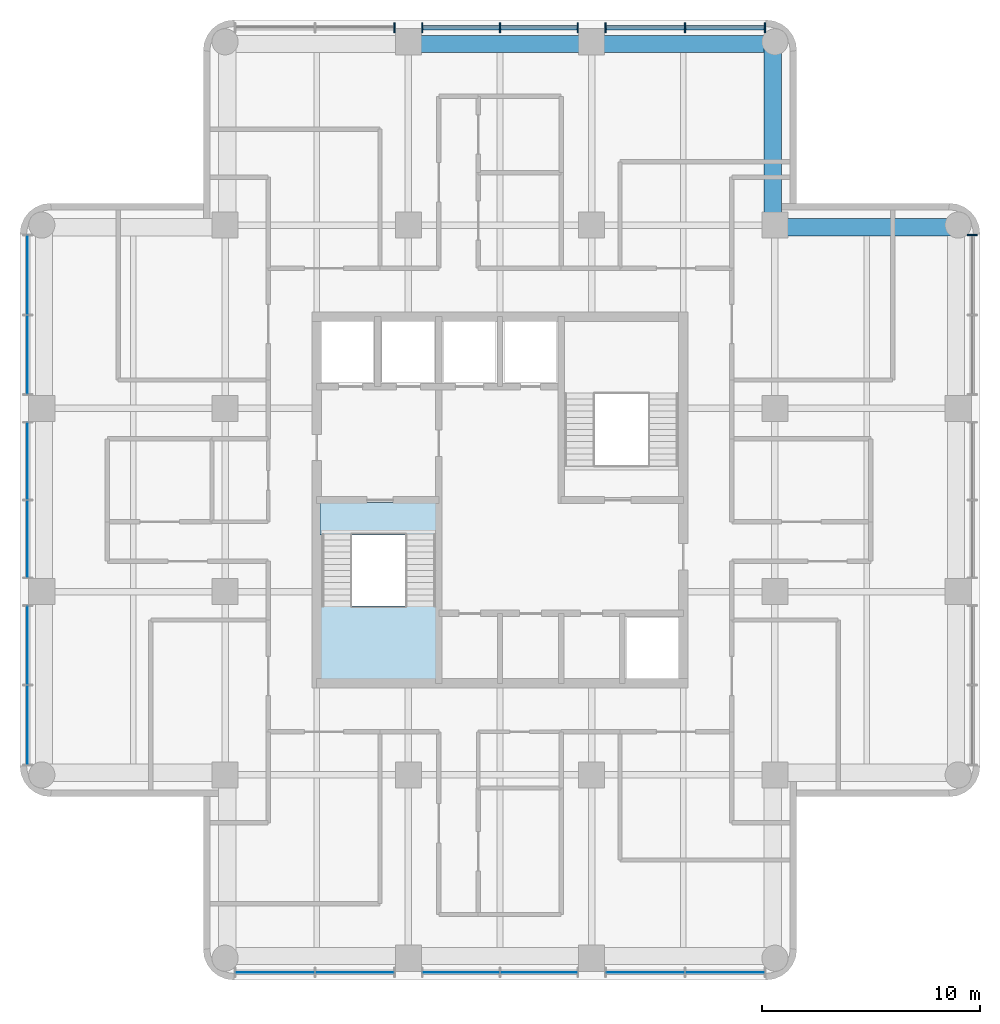
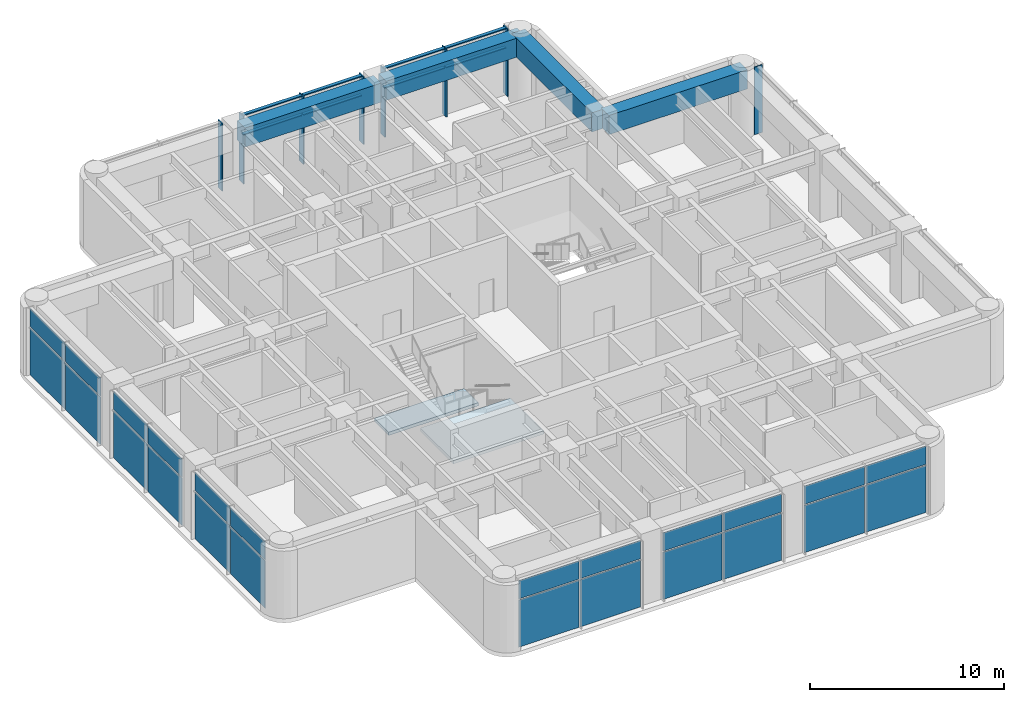
# One storey, part 3 of 8: 24 plates, 16 members, 4 beams, 2 slabs, 5 elements without a shape of their own.
"""IFC4 building model written with IfcOpenShell, lengths in metres."""

from ifc_helpers import new_model, si_unit, direction, frame, origin, origin_2d, place, context, subcontext, project, spatial, polyline, rectangle, outline, extrude, material, layer, layer_set, material_profile, profile_set, type_object, element, aggregate, save


model = new_model("IFC4")

# Units and contexts
model_context = context("Model", 3, precision=1e-05, world=origin(), true_north=direction((0.0, 1.0)))
body_context = subcontext(model_context, "Body", "Model", "MODEL_VIEW")
ifc_project = project(units=[si_unit("LENGTHUNIT", "METRE"), si_unit("AREAUNIT", "SQUARE_METRE"), si_unit("VOLUMEUNIT", "CUBIC_METRE"), si_unit("PLANEANGLEUNIT", "RADIAN"), si_unit("MASSUNIT", "GRAM", prefix="KILO")], contexts=[model_context])

# Site, building, storey
site_placement = place(None, origin())
site = spatial("IfcSite", under=ifc_project, at=site_placement, CompositionType="ELEMENT")
building_placement = place(site_placement, origin())
building = spatial("IfcBuilding", under=site, at=building_placement, Name="Torre Alcanfor", CompositionType="ELEMENT")
storey_placement = place(building_placement, frame((0.0, 0.0, 300.89990234375)))
storey = spatial("IfcBuildingStorey", under=building, at=storey_placement, Name="L79", CompositionType="ELEMENT", Elevation=300.89990234375)

# Curtain wall, member
ifc_material_1 = material(Name="Aluminium and glass", Category="aluminium")
curtain_wall_type = type_object("IfcCurtainWallType", Name="CW-E crown screen", PredefinedType="NOTDEFINED", material=ifc_material_1)
curtain_wall_1_placement = place(storey_placement, origin())
curtain_wall_1 = element("IfcCurtainWall", 1, at=curtain_wall_1_placement, inside=storey, type_object=curtain_wall_type, Name="Curtain wall CW-E L79 8", PredefinedType="NOTDEFINED")
ifc_material_2 = material(Name="Bronze anodised aluminium", Category="aluminium")
ifc_material_profile_1 = material_profile(ifc_material_2, rectangle(XDim=0.449951171875, YDim=0.06494140625, at=origin_2d()), Name="CW-E mullion 65x450")
ifc_profile_set_1 = profile_set([ifc_material_profile_1], Name="Bronze anodised aluminium")
member_type_1 = type_object("IfcMemberType", Name="CW-E mullion with vertical FIN 65x450", PredefinedType="MULLION", material=ifc_profile_set_1)
member_1_placement = place(storey_placement, frame((51.050048828125, 41.537109375, 0.0), z_axis=(0.0, 0.0, 1.0), x_axis=(-1.0, 0.0, 0.0)))
member_1 = element("IfcMember", 2, at=member_1_placement, type_object=member_type_1, Name="CW-E mullion 3.3", PredefinedType="MULLION", context=body_context, shape_type="SweptSolid", body=[
    extrude(rectangle(XDim=0.449951171875, YDim=0.06494140625, at=origin_2d()), origin(), (0.0, 0.0, 1.0), 4.25),
])
aggregate(curtain_wall_1, [member_1])

# Curtain wall, members
curtain_wall_2_placement = place(storey_placement, origin())
curtain_wall_2 = element("IfcCurtainWall", 3, at=curtain_wall_2_placement, inside=storey, type_object=curtain_wall_type, Name="Curtain wall CW-E L79 11", PredefinedType="NOTDEFINED")
member_2_placement = place(storey_placement, frame((41.537109375, 51.050048828125, 0.0), z_axis=(0.0, 0.0, 1.0), x_axis=(0.0, -1.0, 0.0)))
member_2 = element("IfcMember", 4, at=member_2_placement, type_object=member_type_1, Name="CW-E mullion 1.1", PredefinedType="MULLION", context=body_context, shape_type="SweptSolid", body=[
    extrude(rectangle(XDim=0.449951171875, YDim=0.06494140625, at=origin_2d()), origin(), (0.0, 0.0, 1.0), 4.25),
])
member_3_placement = place(storey_placement, frame((37.88720703125, 51.050048828125, 0.0), z_axis=(0.0, 0.0, 1.0), x_axis=(0.0, -1.0, 0.0)))
member_3 = element("IfcMember", 5, at=member_3_placement, type_object=member_type_1, Name="CW-E mullion 1.2", PredefinedType="MULLION", context=body_context, shape_type="SweptSolid", body=[
    extrude(rectangle(XDim=0.449951171875, YDim=0.06494140625, at=origin_2d()), origin(), (0.0, 0.0, 1.0), 4.25),
])
member_4_placement = place(storey_placement, frame((34.237548828125, 51.050048828125, 0.0), z_axis=(0.0, 0.0, 1.0), x_axis=(0.0, -1.0, 0.0)))
member_4 = element("IfcMember", 6, at=member_4_placement, type_object=member_type_1, Name="CW-E mullion 1.3", PredefinedType="MULLION", context=body_context, shape_type="SweptSolid", body=[
    extrude(rectangle(XDim=0.449951171875, YDim=0.06494140625, at=origin_2d()), origin(), (0.0, 0.0, 1.0), 4.25),
])
member_5_placement = place(storey_placement, frame((32.96240234375, 51.050048828125, 0.0), z_axis=(0.0, 0.0, 1.0), x_axis=(0.0, -1.0, 0.0)))
member_5 = element("IfcMember", 7, at=member_5_placement, type_object=member_type_1, Name="CW-E mullion 2.1", PredefinedType="MULLION", context=body_context, shape_type="SweptSolid", body=[
    extrude(rectangle(XDim=0.449951171875, YDim=0.06494140625, at=origin_2d()), origin(), (0.0, 0.0, 1.0), 4.25),
])
member_6_placement = place(storey_placement, frame((29.39990234375, 51.050048828125, 0.0), z_axis=(0.0, 0.0, 1.0), x_axis=(0.0, -1.0, 0.0)))
member_6 = element("IfcMember", 8, at=member_6_placement, type_object=member_type_1, Name="CW-E mullion 2.2", PredefinedType="MULLION", context=body_context, shape_type="SweptSolid", body=[
    extrude(rectangle(XDim=0.449951171875, YDim=0.06494140625, at=origin_2d()), origin(), (0.0, 0.0, 1.0), 4.25),
])
member_7_placement = place(storey_placement, frame((25.83740234375, 51.050048828125, 0.0), z_axis=(0.0, 0.0, 1.0), x_axis=(0.0, -1.0, 0.0)))
member_7 = element("IfcMember", 9, at=member_7_placement, type_object=member_type_1, Name="CW-E mullion 2.3", PredefinedType="MULLION", context=body_context, shape_type="SweptSolid", body=[
    extrude(rectangle(XDim=0.449951171875, YDim=0.06494140625, at=origin_2d()), origin(), (0.0, 0.0, 1.0), 4.25),
])
member_8_placement = place(storey_placement, frame((24.5625, 51.050048828125, 0.0), z_axis=(0.0, 0.0, 1.0), x_axis=(0.0, -1.0, 0.0)))
member_8 = element("IfcMember", 10, at=member_8_placement, type_object=member_type_1, Name="CW-E mullion 3.1", PredefinedType="MULLION", context=body_context, shape_type="SweptSolid", body=[
    extrude(rectangle(XDim=0.449951171875, YDim=0.06494140625, at=origin_2d()), origin(), (0.0, 0.0, 1.0), 4.25),
])
ifc_material_3 = material(Name="Extruded aluminium", Category="aluminium")
ifc_material_profile_2 = material_profile(ifc_material_3, rectangle(XDim=0.199951171875, YDim=0.06494140625, at=origin_2d()), Name="CW-E transom 200x65")
ifc_profile_set_2 = profile_set([ifc_material_profile_2], Name="Extruded aluminium")
member_type_2 = type_object("IfcMemberType", Name="CW-E transom 65x200", PredefinedType="USERDEFINED", material=ifc_profile_set_2)
member_9_placement = place(storey_placement, frame((41.50439453125, 51.050048828125, 3.0), z_axis=(-1.0, 0.0, 0.0), x_axis=(0.0, -1.0, 0.0)))
member_9 = element("IfcMember", 11, at=member_9_placement, type_object=member_type_2, Name="CW-E transom 1.1.2", ObjectType="TRANSOM", PredefinedType="USERDEFINED", context=body_context, shape_type="SweptSolid", body=[
    extrude(rectangle(XDim=0.199951171875, YDim=0.06494140625, at=origin_2d()), origin(), (0.0, 0.0, 1.0), 3.584716796875),
])
member_10_placement = place(storey_placement, frame((41.50439453125, 51.050048828125, 4.217529296875), z_axis=(-1.0, 0.0, 0.0), x_axis=(0.0, -1.0, 0.0)))
member_10 = element("IfcMember", 12, at=member_10_placement, type_object=member_type_2, Name="CW-E transom 1.1.3", ObjectType="TRANSOM", PredefinedType="USERDEFINED", context=body_context, shape_type="SweptSolid", body=[
    extrude(rectangle(XDim=0.199951171875, YDim=0.06494140625, at=origin_2d()), origin(), (0.0, 0.0, 1.0), 3.584716796875),
])
member_11_placement = place(storey_placement, frame((37.854736328125, 51.050048828125, 3.0), z_axis=(-1.0, 0.0, 0.0), x_axis=(0.0, -1.0, 0.0)))
member_11 = element("IfcMember", 13, at=member_11_placement, type_object=member_type_2, Name="CW-E transom 1.2.2", ObjectType="TRANSOM", PredefinedType="USERDEFINED", context=body_context, shape_type="SweptSolid", body=[
    extrude(rectangle(XDim=0.199951171875, YDim=0.06494140625, at=origin_2d()), origin(), (0.0, 0.0, 1.0), 3.584716796875),
])
member_12_placement = place(storey_placement, frame((37.854736328125, 51.050048828125, 4.217529296875), z_axis=(-1.0, 0.0, 0.0), x_axis=(0.0, -1.0, 0.0)))
member_12 = element("IfcMember", 14, at=member_12_placement, type_object=member_type_2, Name="CW-E transom 1.2.3", ObjectType="TRANSOM", PredefinedType="USERDEFINED", context=body_context, shape_type="SweptSolid", body=[
    extrude(rectangle(XDim=0.199951171875, YDim=0.06494140625, at=origin_2d()), origin(), (0.0, 0.0, 1.0), 3.584716796875),
])
member_13_placement = place(storey_placement, frame((32.929931640625, 51.050048828125, 3.0), z_axis=(-1.0, 0.0, 0.0), x_axis=(0.0, -1.0, 0.0)))
member_13 = element("IfcMember", 15, at=member_13_placement, type_object=member_type_2, Name="CW-E transom 2.1.2", ObjectType="TRANSOM", PredefinedType="USERDEFINED", context=body_context, shape_type="SweptSolid", body=[
    extrude(rectangle(XDim=0.199951171875, YDim=0.06494140625, at=origin_2d()), origin(), (0.0, 0.0, 1.0), 3.497314453125),
])
member_14_placement = place(storey_placement, frame((32.929931640625, 51.050048828125, 4.217529296875), z_axis=(-1.0, 0.0, 0.0), x_axis=(0.0, -1.0, 0.0)))
member_14 = element("IfcMember", 16, at=member_14_placement, type_object=member_type_2, Name="CW-E transom 2.1.3", ObjectType="TRANSOM", PredefinedType="USERDEFINED", context=body_context, shape_type="SweptSolid", body=[
    extrude(rectangle(XDim=0.199951171875, YDim=0.06494140625, at=origin_2d()), origin(), (0.0, 0.0, 1.0), 3.497314453125),
])
member_15_placement = place(storey_placement, frame((29.367431640625, 51.050048828125, 3.0), z_axis=(-1.0, 0.0, 0.0), x_axis=(0.0, -1.0, 0.0)))
member_15 = element("IfcMember", 17, at=member_15_placement, type_object=member_type_2, Name="CW-E transom 2.2.2", ObjectType="TRANSOM", PredefinedType="USERDEFINED", context=body_context, shape_type="SweptSolid", body=[
    extrude(rectangle(XDim=0.199951171875, YDim=0.06494140625, at=origin_2d()), origin(), (0.0, 0.0, 1.0), 3.497314453125),
])
member_16_placement = place(storey_placement, frame((29.367431640625, 51.050048828125, 4.217529296875), z_axis=(-1.0, 0.0, 0.0), x_axis=(0.0, -1.0, 0.0)))
member_16 = element("IfcMember", 18, at=member_16_placement, type_object=member_type_2, Name="CW-E transom 2.2.3", ObjectType="TRANSOM", PredefinedType="USERDEFINED", context=body_context, shape_type="SweptSolid", body=[
    extrude(rectangle(XDim=0.199951171875, YDim=0.06494140625, at=origin_2d()), origin(), (0.0, 0.0, 1.0), 3.497314453125),
])
aggregate(curtain_wall_2, [member_2, member_3, member_4, member_9, member_10, member_11, member_12, member_5, member_6, member_7, member_13, member_14, member_15, member_16, member_8])

# Beams
ifc_material_4 = material(Name="Concrete f'c 70 MPa", Category="concrete")
ifc_material_profile_3 = material_profile(ifc_material_4, rectangle(XDim=0.800048828125, YDim=1.199951171875, at=origin_2d()), Name="800x1200")
ifc_profile_set_3 = profile_set([ifc_material_profile_3], Name="Concrete f'c 70 MPa")
beam_type = type_object("IfcBeamType", Name="RC perimeter beam 800x1200", PredefinedType="BEAM", material=ifc_profile_set_3)
beam_1_placement = place(storey_placement, frame((42.14599609375, 41.89990234375, 3.650146484375), z_axis=(1.0, 0.0, 0.0), x_axis=(0.0, 1.0, 0.0)))
element("IfcBeam", 19, at=beam_1_placement, inside=storey, type_object=beam_type, Name="Beam 6H-7H under L80", PredefinedType="BEAM", context=body_context, shape_type="SweptSolid", body=[
    extrude(rectangle(XDim=0.800048828125, YDim=1.199951171875, at=origin_2d()), origin(), (0.0, 0.0, 1.0), 8.25390625),
])
beam_2_placement = place(storey_placement, frame((25.345947265625, 50.300048828125, 3.650146484375), z_axis=(1.0, 0.0, 0.0), x_axis=(0.0, 1.0, 0.0)))
element("IfcBeam", 20, at=beam_2_placement, inside=storey, type_object=beam_type, Name="Beam 4J-5J under L80", PredefinedType="BEAM", context=body_context, shape_type="SweptSolid", body=[
    extrude(rectangle(XDim=0.800048828125, YDim=1.199951171875, at=origin_2d()), origin(), (0.0, 0.0, 1.0), 8.108154296875),
])
for number, where, z_axis, x_axis, name in (
    (21, (33.74609375, 50.300048828125, 3.650146484375), (1.0, 0.0, 0.0), (0.0, 1.0, 0.0), "Beam 5J-6J under L80"),
    (22, (41.89990234375, 42.14599609375, 3.650146484375), (0.0, 1.0, 0.0), (-1.0, 0.0, 0.0), "Beam 6H-6J under L80"),
):
    element("IfcBeam", number, at=place(storey_placement, frame(where, z_axis=z_axis, x_axis=x_axis)), inside=storey, type_object=beam_type, Name=name, PredefinedType="BEAM", context=body_context, shape_type="SweptSolid", body=[
        extrude(rectangle(XDim=0.800048828125, YDim=1.199951171875, at=origin_2d()), origin(), (0.0, 0.0, 1.0), 8.25390625),
    ])

# Curtain wall, plates
curtain_wall_3_placement = place(storey_placement, origin())
curtain_wall_3 = element("IfcCurtainWall", 23, at=curtain_wall_3_placement, inside=storey, type_object=curtain_wall_type, Name="Curtain wall CW-E L79 2", PredefinedType="NOTDEFINED")
ifc_material_5 = material(Name="Limestone-colour fritted glass", Category="masonry")
ifc_layer_1 = layer(ifc_material_5, 0.028076171875)
ifc_layer_set_1 = layer_set([ifc_layer_1], Name="CW-E fritted glass panel")
plate_type = type_object("IfcPlateType", Name="CW-E fritted glass panel", PredefinedType="CURTAIN_PANEL", material=ifc_layer_set_1)
plate_1_placement = place(storey_placement, frame((7.75, 39.712158203125, 0.0), z_axis=(0.0, 0.0, 1.0), x_axis=(0.0, -1.0, 0.0)))
plate_1 = element("IfcPlate", 24, at=plate_1_placement, type_object=plate_type, Name="CW-E panel 1.1.1", PredefinedType="CURTAIN_PANEL", context=body_context, shape_type="SweptSolid", body=[
    extrude(rectangle(XDim=3.584716796875, YDim=0.028076171875, at=origin_2d()), origin(), (0.0, 0.0, 1.0), 2.967529296875),
])
plate_2_placement = place(storey_placement, frame((7.75, 39.712158203125, 3.03271484375), z_axis=(0.0, 0.0, 1.0), x_axis=(0.0, -1.0, 0.0)))
plate_2 = element("IfcPlate", 25, at=plate_2_placement, type_object=plate_type, Name="CW-E panel 1.1.2", PredefinedType="CURTAIN_PANEL", context=body_context, shape_type="SweptSolid", body=[
    extrude(rectangle(XDim=3.584716796875, YDim=0.028076171875, at=origin_2d()), origin(), (0.0, 0.0, 1.0), 1.152587890625),
])
plate_3_placement = place(storey_placement, frame((7.75, 36.062255859375, 0.0), z_axis=(0.0, 0.0, 1.0), x_axis=(0.0, -1.0, 0.0)))
plate_3 = element("IfcPlate", 26, at=plate_3_placement, type_object=plate_type, Name="CW-E panel 1.2.1", PredefinedType="CURTAIN_PANEL", context=body_context, shape_type="SweptSolid", body=[
    extrude(rectangle(XDim=3.584716796875, YDim=0.028076171875, at=origin_2d()), origin(), (0.0, 0.0, 1.0), 2.967529296875),
])
plate_4_placement = place(storey_placement, frame((7.75, 36.062255859375, 3.03271484375), z_axis=(0.0, 0.0, 1.0), x_axis=(0.0, -1.0, 0.0)))
plate_4 = element("IfcPlate", 27, at=plate_4_placement, type_object=plate_type, Name="CW-E panel 1.2.2", PredefinedType="CURTAIN_PANEL", context=body_context, shape_type="SweptSolid", body=[
    extrude(rectangle(XDim=3.584716796875, YDim=0.028076171875, at=origin_2d()), origin(), (0.0, 0.0, 1.0), 1.152587890625),
])
plate_5_placement = place(storey_placement, frame((7.75, 31.18115234375, 0.0), z_axis=(0.0, 0.0, 1.0), x_axis=(0.0, -1.0, 0.0)))
plate_5 = element("IfcPlate", 28, at=plate_5_placement, type_object=plate_type, Name="CW-E panel 2.1.1", PredefinedType="CURTAIN_PANEL", context=body_context, shape_type="SweptSolid", body=[
    extrude(rectangle(XDim=3.49755859375, YDim=0.028076171875, at=origin_2d()), origin(), (0.0, 0.0, 1.0), 2.967529296875),
])
plate_6_placement = place(storey_placement, frame((7.75, 31.18115234375, 3.03271484375), z_axis=(0.0, 0.0, 1.0), x_axis=(0.0, -1.0, 0.0)))
plate_6 = element("IfcPlate", 29, at=plate_6_placement, type_object=plate_type, Name="CW-E panel 2.1.2", PredefinedType="CURTAIN_PANEL", context=body_context, shape_type="SweptSolid", body=[
    extrude(rectangle(XDim=3.49755859375, YDim=0.028076171875, at=origin_2d()), origin(), (0.0, 0.0, 1.0), 1.152587890625),
])
plate_7_placement = place(storey_placement, frame((7.75, 27.61865234375, 0.0), z_axis=(0.0, 0.0, 1.0), x_axis=(0.0, -1.0, 0.0)))
plate_7 = element("IfcPlate", 30, at=plate_7_placement, type_object=plate_type, Name="CW-E panel 2.2.1", PredefinedType="CURTAIN_PANEL", context=body_context, shape_type="SweptSolid", body=[
    extrude(rectangle(XDim=3.49755859375, YDim=0.028076171875, at=origin_2d()), origin(), (0.0, 0.0, 1.0), 2.967529296875),
])
plate_8_placement = place(storey_placement, frame((7.75, 27.61865234375, 3.03271484375), z_axis=(0.0, 0.0, 1.0), x_axis=(0.0, -1.0, 0.0)))
plate_8 = element("IfcPlate", 31, at=plate_8_placement, type_object=plate_type, Name="CW-E panel 2.2.2", PredefinedType="CURTAIN_PANEL", context=body_context, shape_type="SweptSolid", body=[
    extrude(rectangle(XDim=3.49755859375, YDim=0.028076171875, at=origin_2d()), origin(), (0.0, 0.0, 1.0), 1.152587890625),
])
plate_9_placement = place(storey_placement, frame((7.75, 22.737548828125, 0.0), z_axis=(0.0, 0.0, 1.0), x_axis=(0.0, -1.0, 0.0)))
plate_9 = element("IfcPlate", 32, at=plate_9_placement, type_object=plate_type, Name="CW-E panel 3.1.1", PredefinedType="CURTAIN_PANEL", context=body_context, shape_type="SweptSolid", body=[
    extrude(rectangle(XDim=3.584716796875, YDim=0.028076171875, at=origin_2d()), origin(), (0.0, 0.0, 1.0), 2.967529296875),
])
plate_10_placement = place(storey_placement, frame((7.75, 22.737548828125, 3.03271484375), z_axis=(0.0, 0.0, 1.0), x_axis=(0.0, -1.0, 0.0)))
plate_10 = element("IfcPlate", 33, at=plate_10_placement, type_object=plate_type, Name="CW-E panel 3.1.2", PredefinedType="CURTAIN_PANEL", context=body_context, shape_type="SweptSolid", body=[
    extrude(rectangle(XDim=3.584716796875, YDim=0.028076171875, at=origin_2d()), origin(), (0.0, 0.0, 1.0), 1.152587890625),
])
plate_11_placement = place(storey_placement, frame((7.75, 19.087890625, 0.0), z_axis=(0.0, 0.0, 1.0), x_axis=(0.0, -1.0, 0.0)))
plate_11 = element("IfcPlate", 34, at=plate_11_placement, type_object=plate_type, Name="CW-E panel 3.2.1", PredefinedType="CURTAIN_PANEL", context=body_context, shape_type="SweptSolid", body=[
    extrude(rectangle(XDim=3.584716796875, YDim=0.028076171875, at=origin_2d()), origin(), (0.0, 0.0, 1.0), 2.967529296875),
])
plate_12_placement = place(storey_placement, frame((7.75, 19.087890625, 3.03271484375), z_axis=(0.0, 0.0, 1.0), x_axis=(0.0, -1.0, 0.0)))
plate_12 = element("IfcPlate", 35, at=plate_12_placement, type_object=plate_type, Name="CW-E panel 3.2.2", PredefinedType="CURTAIN_PANEL", context=body_context, shape_type="SweptSolid", body=[
    extrude(rectangle(XDim=3.584716796875, YDim=0.028076171875, at=origin_2d()), origin(), (0.0, 0.0, 1.0), 1.152587890625),
])
aggregate(curtain_wall_3, [plate_1, plate_2, plate_3, plate_4, plate_5, plate_6, plate_7, plate_8, plate_9, plate_10, plate_11, plate_12])

curtain_wall_4_placement = place(storey_placement, origin())
curtain_wall_4 = element("IfcCurtainWall", 36, at=curtain_wall_4_placement, inside=storey, type_object=curtain_wall_type, Name="Curtain wall CW-E L79 5", PredefinedType="NOTDEFINED")
plate_13_placement = place(storey_placement, frame((19.087890625, 7.75, 0.0), z_axis=(0.0, 0.0, 1.0), x_axis=(1.0, 0.0, 0.0)))
plate_13 = element("IfcPlate", 37, at=plate_13_placement, type_object=plate_type, Name="CW-E panel 1.1.1", PredefinedType="CURTAIN_PANEL", context=body_context, shape_type="SweptSolid", body=[
    extrude(rectangle(XDim=3.584716796875, YDim=0.028076171875, at=origin_2d()), origin(), (0.0, 0.0, 1.0), 2.967529296875),
])
plate_14_placement = place(storey_placement, frame((19.087890625, 7.75, 3.03271484375), z_axis=(0.0, 0.0, 1.0), x_axis=(1.0, 0.0, 0.0)))
plate_14 = element("IfcPlate", 38, at=plate_14_placement, type_object=plate_type, Name="CW-E panel 1.1.2", PredefinedType="CURTAIN_PANEL", context=body_context, shape_type="SweptSolid", body=[
    extrude(rectangle(XDim=3.584716796875, YDim=0.028076171875, at=origin_2d()), origin(), (0.0, 0.0, 1.0), 1.152587890625),
])
plate_15_placement = place(storey_placement, frame((22.737548828125, 7.75, 0.0), z_axis=(0.0, 0.0, 1.0), x_axis=(1.0, 0.0, 0.0)))
plate_15 = element("IfcPlate", 39, at=plate_15_placement, type_object=plate_type, Name="CW-E panel 1.2.1", PredefinedType="CURTAIN_PANEL", context=body_context, shape_type="SweptSolid", body=[
    extrude(rectangle(XDim=3.584716796875, YDim=0.028076171875, at=origin_2d()), origin(), (0.0, 0.0, 1.0), 2.967529296875),
])
plate_16_placement = place(storey_placement, frame((22.737548828125, 7.75, 3.03271484375), z_axis=(0.0, 0.0, 1.0), x_axis=(1.0, 0.0, 0.0)))
plate_16 = element("IfcPlate", 40, at=plate_16_placement, type_object=plate_type, Name="CW-E panel 1.2.2", PredefinedType="CURTAIN_PANEL", context=body_context, shape_type="SweptSolid", body=[
    extrude(rectangle(XDim=3.584716796875, YDim=0.028076171875, at=origin_2d()), origin(), (0.0, 0.0, 1.0), 1.152587890625),
])
plate_17_placement = place(storey_placement, frame((27.61865234375, 7.75, 0.0), z_axis=(0.0, 0.0, 1.0), x_axis=(1.0, 0.0, 0.0)))
plate_17 = element("IfcPlate", 41, at=plate_17_placement, type_object=plate_type, Name="CW-E panel 2.1.1", PredefinedType="CURTAIN_PANEL", context=body_context, shape_type="SweptSolid", body=[
    extrude(rectangle(XDim=3.49755859375, YDim=0.028076171875, at=origin_2d()), origin(), (0.0, 0.0, 1.0), 2.967529296875),
])
plate_18_placement = place(storey_placement, frame((27.61865234375, 7.75, 3.03271484375), z_axis=(0.0, 0.0, 1.0), x_axis=(1.0, 0.0, 0.0)))
plate_18 = element("IfcPlate", 42, at=plate_18_placement, type_object=plate_type, Name="CW-E panel 2.1.2", PredefinedType="CURTAIN_PANEL", context=body_context, shape_type="SweptSolid", body=[
    extrude(rectangle(XDim=3.49755859375, YDim=0.028076171875, at=origin_2d()), origin(), (0.0, 0.0, 1.0), 1.152587890625),
])
plate_19_placement = place(storey_placement, frame((31.18115234375, 7.75, 0.0), z_axis=(0.0, 0.0, 1.0), x_axis=(1.0, 0.0, 0.0)))
plate_19 = element("IfcPlate", 43, at=plate_19_placement, type_object=plate_type, Name="CW-E panel 2.2.1", PredefinedType="CURTAIN_PANEL", context=body_context, shape_type="SweptSolid", body=[
    extrude(rectangle(XDim=3.49755859375, YDim=0.028076171875, at=origin_2d()), origin(), (0.0, 0.0, 1.0), 2.967529296875),
])
plate_20_placement = place(storey_placement, frame((31.18115234375, 7.75, 3.03271484375), z_axis=(0.0, 0.0, 1.0), x_axis=(1.0, 0.0, 0.0)))
plate_20 = element("IfcPlate", 44, at=plate_20_placement, type_object=plate_type, Name="CW-E panel 2.2.2", PredefinedType="CURTAIN_PANEL", context=body_context, shape_type="SweptSolid", body=[
    extrude(rectangle(XDim=3.49755859375, YDim=0.028076171875, at=origin_2d()), origin(), (0.0, 0.0, 1.0), 1.152587890625),
])
plate_21_placement = place(storey_placement, frame((36.062255859375, 7.75, 0.0), z_axis=(0.0, 0.0, 1.0), x_axis=(1.0, 0.0, 0.0)))
plate_21 = element("IfcPlate", 45, at=plate_21_placement, type_object=plate_type, Name="CW-E panel 3.1.1", PredefinedType="CURTAIN_PANEL", context=body_context, shape_type="SweptSolid", body=[
    extrude(rectangle(XDim=3.584716796875, YDim=0.028076171875, at=origin_2d()), origin(), (0.0, 0.0, 1.0), 2.967529296875),
])
plate_22_placement = place(storey_placement, frame((36.062255859375, 7.75, 3.03271484375), z_axis=(0.0, 0.0, 1.0), x_axis=(1.0, 0.0, 0.0)))
plate_22 = element("IfcPlate", 46, at=plate_22_placement, type_object=plate_type, Name="CW-E panel 3.1.2", PredefinedType="CURTAIN_PANEL", context=body_context, shape_type="SweptSolid", body=[
    extrude(rectangle(XDim=3.584716796875, YDim=0.028076171875, at=origin_2d()), origin(), (0.0, 0.0, 1.0), 1.152587890625),
])
plate_23_placement = place(storey_placement, frame((39.712158203125, 7.75, 0.0), z_axis=(0.0, 0.0, 1.0), x_axis=(1.0, 0.0, 0.0)))
plate_23 = element("IfcPlate", 47, at=plate_23_placement, type_object=plate_type, Name="CW-E panel 3.2.1", PredefinedType="CURTAIN_PANEL", context=body_context, shape_type="SweptSolid", body=[
    extrude(rectangle(XDim=3.584716796875, YDim=0.028076171875, at=origin_2d()), origin(), (0.0, 0.0, 1.0), 2.967529296875),
])
plate_24_placement = place(storey_placement, frame((39.712158203125, 7.75, 3.03271484375), z_axis=(0.0, 0.0, 1.0), x_axis=(1.0, 0.0, 0.0)))
plate_24 = element("IfcPlate", 48, at=plate_24_placement, type_object=plate_type, Name="CW-E panel 3.2.2", PredefinedType="CURTAIN_PANEL", context=body_context, shape_type="SweptSolid", body=[
    extrude(rectangle(XDim=3.584716796875, YDim=0.028076171875, at=origin_2d()), origin(), (0.0, 0.0, 1.0), 1.152587890625),
])
aggregate(curtain_wall_4, [plate_13, plate_14, plate_15, plate_16, plate_17, plate_18, plate_19, plate_20, plate_21, plate_22, plate_23, plate_24])

# Stair, slabs
ifc_material_6 = material(Name="Concrete f'c 35 MPa", Category="concrete")
stair_type = type_object("IfcStairType", Name="Exit stair S1 1400 wide", PredefinedType="HALF_TURN_STAIR", material=ifc_material_6)
stair_placement = place(storey_placement, origin())
stair = element("IfcStair", 49, at=stair_placement, inside=storey, type_object=stair_type, Name="Stair S1 L79 to L80", PredefinedType="HALF_TURN_STAIR")
ifc_material_7 = material(Name="Concrete f'c 35 MPa", Category="concrete")
ifc_layer_2 = layer(ifc_material_7, 0.199951171875)
ifc_layer_set_2 = layer_set([ifc_layer_2], Name="Stair landing 200")
slab_type = type_object("IfcSlabType", Name="Stair landing 200", PredefinedType="LANDING", material=ifc_layer_set_2)
slab_1_placement = place(storey_placement, frame((0.0, 0.0, -0.199951171875)))
slab_1 = element("IfcSlab", 50, at=slab_1_placement, type_object=slab_type, Name="S1 landing 1", PredefinedType="LANDING", context=body_context, shape_type="SweptSolid", body=[
    extrude(outline(polyline([(21.14501953125, 27.800048828125), (26.47998046875, 27.800048828125), (26.47998046875, 29.280029296875), (21.14501953125, 29.280029296875), (21.14501953125, 27.800048828125)])), origin(), (0.0, 0.0, 1.0), 0.199951171875),
])
slab_2_placement = place(storey_placement, frame((0.0, 0.0, 2.050048828125)))
slab_2 = element("IfcSlab", 51, at=slab_2_placement, type_object=slab_type, Name="S1 landing 2", PredefinedType="LANDING", context=body_context, shape_type="SweptSolid", body=[
    extrude(outline(polyline([(21.14501953125, 21.14501953125), (26.530029296875, 21.14501953125), (26.530029296875, 24.5400390625), (21.14501953125, 24.5400390625), (21.14501953125, 21.14501953125)])), origin(), (0.0, 0.0, 1.0), 0.199951171875),
])
aggregate(stair, [slab_1, slab_2])

save(model, "model.ifc")
